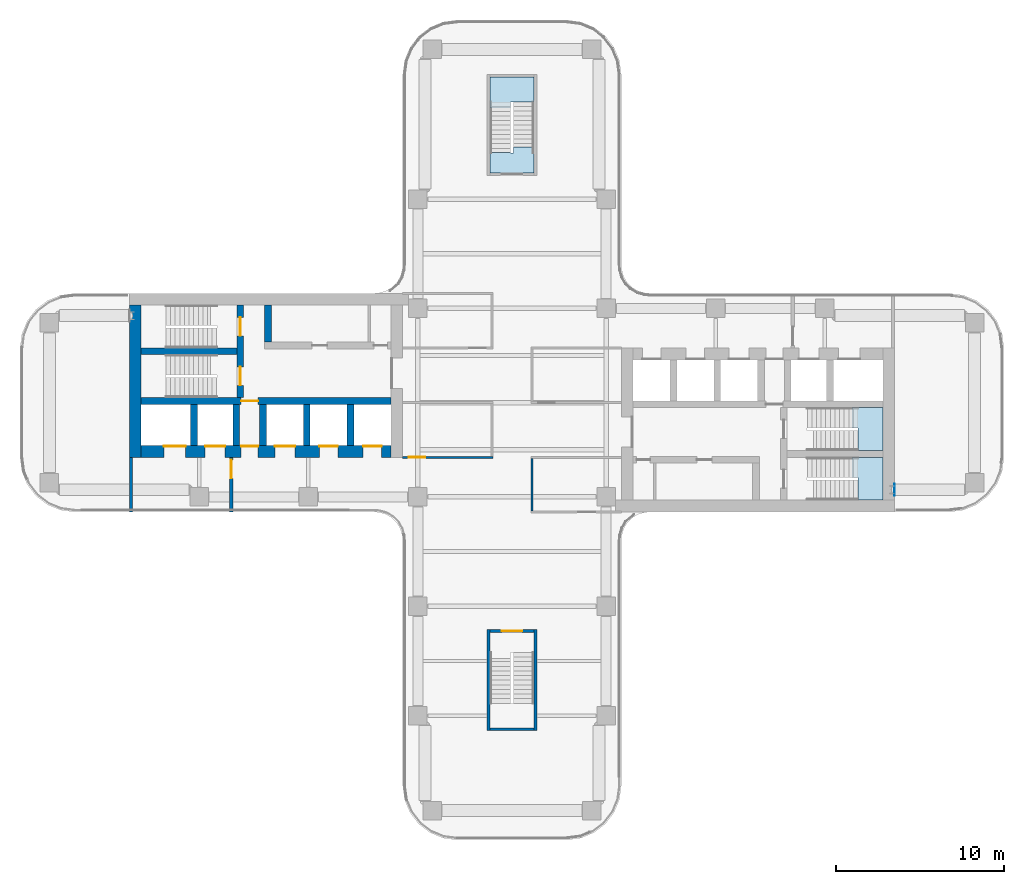
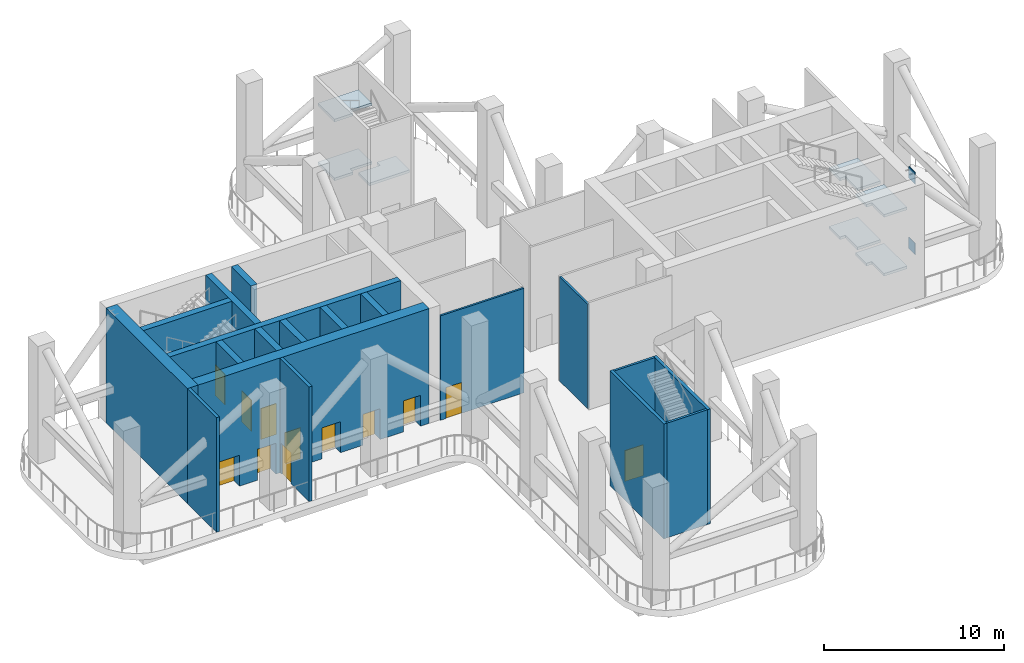
# One storey, part 4 of 11: 19 walls, 12 doors, 7 slabs, 2 plates, 12 openings, 3 elements without a shape of their own.
"""IFC4 building model written with IfcOpenShell, lengths in metres."""

from ifc_helpers import new_model, si_unit, direction, frame, frame_2d, origin, origin_2d, place, context, subcontext, project, spatial, polyline, rectangle, outline, extrude, source, transform, mapped, material, layer, layer_set, type_object, element, fill, aggregate, save


model = new_model("IFC4")

# Units and contexts
model_context = context("Model", 3, precision=1e-05, world=origin(), true_north=direction((0.0, 1.0)))
body_context = subcontext(model_context, "Body", "Model", "MODEL_VIEW")
ifc_project = project(units=[si_unit("LENGTHUNIT", "METRE"), si_unit("AREAUNIT", "SQUARE_METRE"), si_unit("VOLUMEUNIT", "CUBIC_METRE"), si_unit("PLANEANGLEUNIT", "RADIAN"), si_unit("MASSUNIT", "GRAM", prefix="KILO")], contexts=[model_context])

# Site, building, storey
site_placement = place(None, origin())
site = spatial("IfcSite", under=ifc_project, at=site_placement, CompositionType="ELEMENT")
building_placement = place(site_placement, origin())
building = spatial("IfcBuilding", under=site, at=building_placement, Name="Trellis Farm Tower", CompositionType="ELEMENT")
storey_placement = place(building_placement, frame((0.0, 0.0, 212.699951171875)))
storey = spatial("IfcBuildingStorey", under=building, at=storey_placement, Name="L47", CompositionType="ELEMENT", Elevation=212.699951171875)

# Plates
ifc_material_1 = material(Name="Steel S355", Category="steel")
ifc_layer_1 = layer(ifc_material_1, 0.030029296875)
ifc_layer_set_1 = layer_set([ifc_layer_1], Name="Cast-in plate 30")
plate_type = type_object("IfcPlateType", Name="Cast-in plate 30", PredefinedType="SHEET", material=ifc_layer_set_1)
plate_1_placement = place(storey_placement, frame((22.735107421875, -5.175048828125, 2.35009765625), z_axis=(0.0, 0.0, 1.0), x_axis=(1.0, 0.0, 0.0)))
element("IfcPlate", 1, at=plate_1_placement, inside=storey, type_object=plate_type, Name="Cast-in plate", PredefinedType="SHEET", context=body_context, shape_type="SweptSolid", body=[
    extrude(rectangle(XDim=0.030029296875, YDim=0.699951171875, at=origin_2d()), origin(), (0.0, 0.0, 1.0), 0.800048828125),
])
shared_shape_1 = source(origin(), body_context, "Body", "SweptSolid", [
    extrude(rectangle(XDim=0.030029296875, YDim=0.699951171875, at=origin_2d()), origin(), (0.0, 0.0, 1.0), 0.800048828125),
])
plate_2_placement = place(storey_placement, frame((22.735107421875, -5.175048828125, 7.14990234375), z_axis=(0.0, 0.0, 1.0), x_axis=(1.0, 0.0, 0.0)))
element("IfcPlate", 2, at=plate_2_placement, inside=storey, type_object=plate_type, Name="Cast-in plate", PredefinedType="SHEET", context=body_context, shape_type="MappedRepresentation", body=[
    mapped(shared_shape_1, transform((0.0, 0.0, 0.0))),
])

# Stair, slabs
ifc_material_2 = material(Name="Concrete C50/60", Category="concrete")
stair_type = type_object("IfcStairType", Name="CORE EXIT STAIR 48 RISERS 167 MM", PredefinedType="HALF_TURN_STAIR", material=ifc_material_2)
placement_1 = place(storey_placement, origin())
stair_1 = element("IfcStair", 3, at=placement_1, inside=storey, type_object=stair_type, Name="Exit stair N", PredefinedType="HALF_TURN_STAIR")
ifc_layer_2 = layer(ifc_material_2, 0.179931640625)
ifc_layer_set_2 = layer_set([ifc_layer_2], Name="CORE STAIR LANDING 180 CONCRETE C50/60")
slab_type = type_object("IfcSlabType", Name="CORE STAIR LANDING 180 CONCRETE C50/60", PredefinedType="LANDING", material=ifc_layer_set_2)
shared_shape_2 = source(origin(), body_context, "Body", "SweptSolid", [
    extrude(outline(polyline([(-0.10009765625, 17.512451171875), (-1.300048828125, 17.512451171875), (-1.300048828125, 17.875), (-1.300048828125, 19.35009765625), (1.300048828125, 19.35009765625), (1.300048828125, 17.875), (1.300048828125, 17.864990234375), (0.10009765625, 17.864990234375), (0.10009765625, 17.875), (-0.10009765625, 17.875), (-0.10009765625, 17.512451171875)])), origin(), (0.0, 0.0, 1.0), 0.179931640625),
])
placement_2 = place(storey_placement, frame((0.0, 0.0, 1.820068359375)))
slab_1 = element("IfcSlab", 4, at=placement_2, type_object=slab_type, Name="STN landing 1", PredefinedType="LANDING", context=body_context, shape_type="MappedRepresentation", body=[
    mapped(shared_shape_2, transform((0.0, 0.0, 0.0))),
])
placement_3 = place(storey_placement, frame((0.0, 0.0, 5.820068359375)))
slab_2 = element("IfcSlab", 5, at=placement_3, type_object=slab_type, Name="STN landing 3", PredefinedType="LANDING", context=body_context, shape_type="MappedRepresentation", body=[
    mapped(shared_shape_2, transform((0.0, 0.0, 0.0))),
])
shared_shape_3 = source(origin(), body_context, "Body", "SweptSolid", [
    extrude(outline(polyline([(1.300048828125, 13.64990234375), (-1.300048828125, 13.64990234375), (-1.300048828125, 14.85009765625), (-1.300048828125, 14.860107421875), (-0.10009765625, 14.860107421875), (-0.10009765625, 14.85009765625), (0.10009765625, 14.85009765625), (0.10009765625, 15.21240234375), (1.300048828125, 15.21240234375), (1.300048828125, 14.85009765625), (1.300048828125, 13.64990234375)])), origin(), (0.0, 0.0, 1.0), 0.179931640625),
])
slab_3_placement = place(storey_placement, frame((0.0, 0.0, 3.820068359375)))
slab_3 = element("IfcSlab", 6, at=slab_3_placement, type_object=slab_type, Name="STN landing 2", PredefinedType="LANDING", context=body_context, shape_type="MappedRepresentation", body=[
    mapped(shared_shape_3, transform((0.0, 0.0, 0.0))),
])
aggregate(stair_1, [slab_1, slab_3, slab_2])

stair_2 = element("IfcStair", 7, at=placement_1, inside=storey, type_object=stair_type, Name="Exit stair E1", PredefinedType="HALF_TURN_STAIR")
shared_shape_4 = source(origin(), body_context, "Body", "SweptSolid", [
    extrude(outline(polyline([(20.56494140625, -5.800048828125), (20.56494140625, -4.60009765625), (20.574951171875, -4.60009765625), (20.574951171875, -4.449951171875), (20.21240234375, -4.449951171875), (20.21240234375, -3.25), (20.574951171875, -3.25), (22.050048828125, -3.25), (22.050048828125, -5.800048828125), (20.574951171875, -5.800048828125), (20.56494140625, -5.800048828125)])), origin(), (0.0, 0.0, 1.0), 0.179931640625),
])
slab_4 = element("IfcSlab", 8, at=placement_2, type_object=slab_type, Name="STE1 landing 1", PredefinedType="LANDING", context=body_context, shape_type="MappedRepresentation", body=[
    mapped(shared_shape_4, transform((0.0, 0.0, 0.0))),
])
slab_5 = element("IfcSlab", 9, at=placement_3, type_object=slab_type, Name="STE1 landing 3", PredefinedType="LANDING", context=body_context, shape_type="MappedRepresentation", body=[
    mapped(shared_shape_4, transform((0.0, 0.0, 0.0))),
])
aggregate(stair_2, [slab_4, slab_5])

stair_3 = element("IfcStair", 10, at=placement_1, inside=storey, type_object=stair_type, Name="Exit stair E2", PredefinedType="HALF_TURN_STAIR")
shared_shape_5 = source(origin(), body_context, "Body", "SweptSolid", [
    extrude(outline(polyline([(20.56494140625, -2.85009765625), (20.56494140625, -1.64990234375), (20.574951171875, -1.64990234375), (20.574951171875, -1.5), (20.21240234375, -1.5), (20.21240234375, -0.300048828125), (20.574951171875, -0.300048828125), (22.050048828125, -0.300048828125), (22.050048828125, -2.85009765625), (20.574951171875, -2.85009765625), (20.56494140625, -2.85009765625)])), origin(), (0.0, 0.0, 1.0), 0.179931640625),
])
slab_6 = element("IfcSlab", 11, at=placement_2, type_object=slab_type, Name="STE2 landing 1", PredefinedType="LANDING", context=body_context, shape_type="MappedRepresentation", body=[
    mapped(shared_shape_5, transform((0.0, 0.0, 0.0))),
])
slab_7 = element("IfcSlab", 12, at=placement_3, type_object=slab_type, Name="STE2 landing 3", PredefinedType="LANDING", context=body_context, shape_type="MappedRepresentation", body=[
    mapped(shared_shape_5, transform((0.0, 0.0, 0.0))),
])
aggregate(stair_3, [slab_6, slab_7])

# Walls
ifc_material_3 = material(Name="Concrete C60/75", Category="concrete")
ifc_layer_3 = layer(ifc_material_3, 0.699951171875)
ifc_layer_set_3 = layer_set([ifc_layer_3], Name="CORE OUTER WALL 700 CONCRETE C60/75")
wall_type_1 = type_object("IfcWallType", Name="CORE OUTER WALL 700 CONCRETE C60/75", PredefinedType="SHEAR", material=ifc_layer_set_3)
shared_shape_6 = source(origin(), body_context, "Body", "SweptSolid", [
    extrude(rectangle(XDim=9.050048828125, YDim=0.699951171875, at=frame_2d((4.52490234375, 0.0))), origin(), (0.0, 0.0, 1.0), 7.800048828125),
])
wall_1_placement = place(storey_placement, frame((-22.39990234375, 5.800048828125, 0.0), z_axis=(0.0, 0.0, 1.0), x_axis=(0.0, -1.0, 0.0)))
element("IfcWall", 13, at=wall_1_placement, inside=storey, type_object=wall_type_1, Name="Core wall", PredefinedType="SHEAR", context=body_context, shape_type="MappedRepresentation", body=[
    mapped(shared_shape_6, transform((0.0, 0.0, 0.0))),
])
ifc_layer_4 = layer(ifc_material_3, 0.39990234375)
ifc_layer_set_4 = layer_set([ifc_layer_4], Name="CORE INNER WALL 400 CONCRETE C60/75")
wall_type_2 = type_object("IfcWallType", Name="CORE INNER WALL 400 CONCRETE C60/75", PredefinedType="SHEAR", material=ifc_layer_set_4)
shared_shape_7 = source(origin(), body_context, "Body", "SweptSolid", [
    extrude(rectangle(XDim=2.449951171875, YDim=0.39990234375, at=frame_2d((1.22509765625, 0.0))), origin(), (0.0, 0.0, 1.0), 7.800048828125),
])
for number, where, z_axis, x_axis, name in (
    (14, (-9.60009765625, -0.10009765625, 0.0), (0.0, 0.0, 1.0), (0.0, -1.0, 0.0), "Core wall"),
    (15, (-12.199951171875, -0.10009765625, 0.0), (0.0, 0.0, 1.0), (0.0, -1.0, 0.0), "Core wall"),
    (16, (-14.800048828125, -0.10009765625, 0.0), (0.0, 0.0, 1.0), (0.0, -1.0, 0.0), "Core wall"),
    (17, (-16.39990234375, -0.10009765625, 0.0), (0.0, 0.0, 1.0), (0.0, -1.0, 0.0), "Core wall"),
    (18, (-18.89990234375, -0.10009765625, 0.0), (0.0, 0.0, 1.0), (0.0, -1.0, 0.0), "Core wall"),
):
    element("IfcWall", number, at=place(storey_placement, frame(where, z_axis=z_axis, x_axis=x_axis)), inside=storey, type_object=wall_type_2, Name=name, PredefinedType="SHEAR", context=body_context, shape_type="MappedRepresentation", body=[
        mapped(shared_shape_7, transform((0.0, 0.0, 0.0))),
    ])

# Wall, opening, door
ifc_material_4 = material(Name="Masonry blockwork", Category="masonry")
ifc_layer_5 = layer(ifc_material_4, 0.199951171875)
ifc_layer_set_5 = layer_set([ifc_layer_5], Name="FIRE LOBBY PARTITION 200 BLOCKWORK")
wall_type_3 = type_object("IfcWallType", Name="FIRE LOBBY PARTITION 200 BLOCKWORK", PredefinedType="PARTITIONING", material=ifc_layer_set_5)
shared_shape_8 = source(origin(), body_context, "Body", "SweptSolid", [
    extrude(rectangle(XDim=3.25, YDim=0.199951171875, at=frame_2d((1.625, 0.0))), origin(), (0.0, 0.0, 1.0), 7.800048828125),
])
wall_2_placement = place(storey_placement, frame((-16.699951171875, -3.25, 0.0), z_axis=(0.0, 0.0, 1.0), x_axis=(0.0, -1.0, 0.0)))
wall_2 = element("IfcWall", 19, at=wall_2_placement, inside=storey, type_object=wall_type_3, Name="Fire-fighting lobby partition", PredefinedType="PARTITIONING", context=body_context, shape_type="MappedRepresentation", body=[
    mapped(shared_shape_8, transform((0.0, 0.0, 0.0))),
])
shared_shape_9 = source(origin(), body_context, "Body", "SweptSolid", [
    extrude(rectangle(XDim=1.10009765625, YDim=2.10009765625, at=frame_2d((0.550048828125, 1.050048828125))), frame((0.0, 0.110107421875, 0.0), z_axis=(0.0, -1.0, 0.0), x_axis=(1.0, 0.0, 0.0)), (0.0, 0.0, 1.0), 0.22021484375),
])
opening_1_placement = place(wall_2_placement, frame((0.14990234375, 0.0, 0.0)))
opening_1 = element("IfcOpeningElement", 20, at=opening_1_placement, cuts=wall_2, Name="Opening DC93", PredefinedType="OPENING", context=body_context, shape_type="MappedRepresentation", body=[
    mapped(shared_shape_9, transform((0.0, 0.0, 0.0))),
])
ifc_material_5 = material(Name="Steel", Category="steel")
door_type_1 = type_object("IfcDoorType", Name="CORE FIRE DOOR 1100 X 2100", OperationType="NOTDEFINED", PredefinedType="DOOR", material=ifc_material_5)
shared_shape_10 = source(origin(), body_context, "Body", "SweptSolid", [
    extrude(rectangle(XDim=1.10009765625, YDim=2.10009765625, at=frame_2d((0.550048828125, 1.050048828125))), frame((0.0, 0.02490234375, 0.0), z_axis=(0.0, -1.0, 0.0), x_axis=(1.0, 0.0, 0.0)), (0.0, 0.0, 1.0), 0.050048828125),
])
door_1_placement = place(opening_1_placement, origin())
door_1 = element("IfcDoor", 21, at=door_1_placement, inside=storey, type_object=door_type_1, Name="Core door", OperationType="SINGLE_SWING_RIGHT", OverallHeight=2.10009765625, OverallWidth=1.10009765625, PredefinedType="DOOR", context=body_context, shape_type="MappedRepresentation", body=[
    mapped(shared_shape_10, transform((0.0, 0.0, 0.0))),
])
fill(opening_1, door_1)

# Wall
wall_3_placement = place(storey_placement, frame((-22.64990234375, -3.25, 0.0), z_axis=(0.0, 0.0, 1.0), x_axis=(0.0, -1.0, 0.0)))
element("IfcWall", 22, at=wall_3_placement, inside=storey, type_object=wall_type_3, Name="Fire-fighting lobby partition", PredefinedType="PARTITIONING", context=body_context, shape_type="MappedRepresentation", body=[
    mapped(shared_shape_8, transform((0.0, 0.0, 0.0))),
])

# Wall, openings, doors
shared_shape_11 = source(origin(), body_context, "Body", "SweptSolid", [
    extrude(rectangle(XDim=14.85009765625, YDim=0.699951171875, at=frame_2d((7.425048828125, 0.0))), origin(), (0.0, 0.0, 1.0), 7.800048828125),
])
wall_4_placement = place(storey_placement, frame((-7.199951171875, -2.89990234375, 0.0), z_axis=(0.0, 0.0, 1.0), x_axis=(-1.0, 0.0, 0.0)))
wall_4 = element("IfcWall", 23, at=wall_4_placement, inside=storey, type_object=wall_type_1, Name="Core wall", PredefinedType="SHEAR", context=body_context, shape_type="MappedRepresentation", body=[
    mapped(shared_shape_11, transform((0.0, 0.0, 0.0))),
])
shared_shape_12 = source(origin(), body_context, "Body", "SweptSolid", [
    extrude(rectangle(XDim=1.10009765625, YDim=2.10009765625, at=frame_2d((0.550048828125, 1.050048828125))), frame((0.0, 0.360107421875, 0.0), z_axis=(0.0, -1.0, 0.0), x_axis=(1.0, 0.0, 0.0)), (0.0, 0.0, 1.0), 0.72021484375),
])
opening_2_placement = place(wall_4_placement, frame((0.550048828125, 0.0, 0.0)))
opening_2 = element("IfcOpeningElement", 24, at=opening_2_placement, cuts=wall_4, Name="Opening LD12", PredefinedType="OPENING", context=body_context, shape_type="MappedRepresentation", body=[
    mapped(shared_shape_12, transform((0.0, 0.0, 0.0))),
])
opening_3_placement = place(wall_4_placement, frame((3.14990234375, 0.0, 0.0)))
opening_3 = element("IfcOpeningElement", 25, at=opening_3_placement, cuts=wall_4, Name="Opening LD13", PredefinedType="OPENING", context=body_context, shape_type="MappedRepresentation", body=[
    mapped(shared_shape_12, transform((0.0, 0.0, 0.0))),
])
shared_shape_13 = source(origin(), body_context, "Body", "SweptSolid", [
    extrude(rectangle(XDim=1.199951171875, YDim=2.10009765625, at=frame_2d((0.60009765625, 1.050048828125))), frame((0.0, 0.360107421875, 0.0), z_axis=(0.0, -1.0, 0.0), x_axis=(1.0, 0.0, 0.0)), (0.0, 0.0, 1.0), 0.72021484375),
])
opening_4_placement = place(wall_4_placement, frame((5.699951171875, 0.0, 0.0)))
opening_4 = element("IfcOpeningElement", 26, at=opening_4_placement, cuts=wall_4, Name="Opening LD14", PredefinedType="OPENING", context=body_context, shape_type="MappedRepresentation", body=[
    mapped(shared_shape_13, transform((0.0, 0.0, 0.0))),
])
shared_shape_14 = source(origin(), body_context, "Body", "SweptSolid", [
    extrude(rectangle(XDim=1.300048828125, YDim=2.10009765625, at=frame_2d((0.64990234375, 1.050048828125))), frame((0.0, 0.360107421875, 0.0), z_axis=(0.0, -1.0, 0.0), x_axis=(1.0, 0.0, 0.0)), (0.0, 0.0, 1.0), 0.72021484375),
])
opening_5_placement = place(wall_4_placement, frame((12.199951171875, 0.0, 0.0)))
opening_5 = element("IfcOpeningElement", 27, at=opening_5_placement, cuts=wall_4, Name="Opening LD15", PredefinedType="OPENING", context=body_context, shape_type="MappedRepresentation", body=[
    mapped(shared_shape_14, transform((0.0, 0.0, 0.0))),
])
opening_6_placement = place(wall_4_placement, frame((9.85009765625, 0.0, 0.0)))
opening_6 = element("IfcOpeningElement", 28, at=opening_6_placement, cuts=wall_4, Name="Opening LD16", PredefinedType="OPENING", context=body_context, shape_type="MappedRepresentation", body=[
    mapped(shared_shape_13, transform((0.0, 0.0, 0.0))),
])
shared_shape_15 = source(origin(), body_context, "Body", "SweptSolid", [
    extrude(rectangle(XDim=1.0, YDim=2.10009765625, at=frame_2d((0.5, 1.050048828125))), frame((0.0, 0.360107421875, 0.0), z_axis=(0.0, -1.0, 0.0), x_axis=(1.0, 0.0, 0.0)), (0.0, 0.0, 1.0), 0.72021484375),
])
opening_7_placement = place(wall_4_placement, frame((7.89990234375, 0.0, 0.0)))
opening_7 = element("IfcOpeningElement", 29, at=opening_7_placement, cuts=wall_4, Name="Opening DC92", PredefinedType="OPENING", context=body_context, shape_type="MappedRepresentation", body=[
    mapped(shared_shape_15, transform((0.0, 0.0, 0.0))),
])
door_type_2 = type_object("IfcDoorType", Name="CORE FIRE DOOR 1000 X 2100", OperationType="NOTDEFINED", PredefinedType="DOOR", material=ifc_material_5)
shared_shape_16 = source(origin(), body_context, "Body", "SweptSolid", [
    extrude(rectangle(XDim=1.0, YDim=2.10009765625, at=frame_2d((0.5, 1.050048828125))), frame((0.0, -0.27490234375, 0.0), z_axis=(0.0, -1.0, 0.0), x_axis=(1.0, 0.0, 0.0)), (0.0, 0.0, 1.0), 0.050048828125),
])
door_2_placement = place(opening_7_placement, origin())
door_2 = element("IfcDoor", 30, at=door_2_placement, inside=storey, type_object=door_type_2, Name="Core door", OperationType="SINGLE_SWING_LEFT", OverallHeight=2.10009765625, OverallWidth=1.0, PredefinedType="DOOR", context=body_context, shape_type="MappedRepresentation", body=[
    mapped(shared_shape_16, transform((0.0, 0.0, 0.0))),
])
fill(opening_7, door_2)
ifc_material_6 = material(Name="Stainless steel", Category="steel")
door_type_3 = type_object("IfcDoorType", Name="LIFT LANDING DOOR 1300 X 2100", OperationType="DOUBLE_DOOR_SLIDING", PredefinedType="DOOR", material=ifc_material_6)
shared_shape_17 = source(origin(), body_context, "Body", "SweptSolid", [
    extrude(rectangle(XDim=1.300048828125, YDim=2.10009765625, at=frame_2d((0.64990234375, 1.050048828125))), frame((0.0, -0.27490234375, 0.0), z_axis=(0.0, -1.0, 0.0), x_axis=(1.0, 0.0, 0.0)), (0.0, 0.0, 1.0), 0.050048828125),
])
door_3_placement = place(opening_5_placement, origin())
door_3 = element("IfcDoor", 31, at=door_3_placement, inside=storey, type_object=door_type_3, Name="Lift landing door", OperationType="DOUBLE_DOOR_SLIDING", OverallHeight=2.10009765625, OverallWidth=1.300048828125, PredefinedType="DOOR", context=body_context, shape_type="MappedRepresentation", body=[
    mapped(shared_shape_17, transform((0.0, 0.0, 0.0))),
])
fill(opening_5, door_3)
door_type_4 = type_object("IfcDoorType", Name="LIFT LANDING DOOR 1200 X 2100", OperationType="DOUBLE_DOOR_SLIDING", PredefinedType="DOOR", material=ifc_material_6)
shared_shape_18 = source(origin(), body_context, "Body", "SweptSolid", [
    extrude(rectangle(XDim=1.199951171875, YDim=2.10009765625, at=frame_2d((0.60009765625, 1.050048828125))), frame((0.0, -0.27490234375, 0.0), z_axis=(0.0, -1.0, 0.0), x_axis=(1.0, 0.0, 0.0)), (0.0, 0.0, 1.0), 0.050048828125),
])
door_4_placement = place(opening_4_placement, origin())
door_4 = element("IfcDoor", 32, at=door_4_placement, inside=storey, type_object=door_type_4, Name="Lift landing door", OperationType="DOUBLE_DOOR_SLIDING", OverallHeight=2.10009765625, OverallWidth=1.199951171875, PredefinedType="DOOR", context=body_context, shape_type="MappedRepresentation", body=[
    mapped(shared_shape_18, transform((0.0, 0.0, 0.0))),
])
fill(opening_4, door_4)
door_5_placement = place(opening_6_placement, origin())
door_5 = element("IfcDoor", 33, at=door_5_placement, inside=storey, type_object=door_type_4, Name="Lift landing door", OperationType="DOUBLE_DOOR_SLIDING", OverallHeight=2.10009765625, OverallWidth=1.199951171875, PredefinedType="DOOR", context=body_context, shape_type="MappedRepresentation", body=[
    mapped(shared_shape_18, transform((0.0, 0.0, 0.0))),
])
fill(opening_6, door_5)
door_type_5 = type_object("IfcDoorType", Name="LIFT LANDING DOOR 1100 X 2100", OperationType="DOUBLE_DOOR_SLIDING", PredefinedType="DOOR", material=ifc_material_6)
shared_shape_19 = source(origin(), body_context, "Body", "SweptSolid", [
    extrude(rectangle(XDim=1.10009765625, YDim=2.10009765625, at=frame_2d((0.550048828125, 1.050048828125))), frame((0.0, -0.27490234375, 0.0), z_axis=(0.0, -1.0, 0.0), x_axis=(1.0, 0.0, 0.0)), (0.0, 0.0, 1.0), 0.050048828125),
])
door_6_placement = place(opening_2_placement, origin())
door_6 = element("IfcDoor", 34, at=door_6_placement, inside=storey, type_object=door_type_5, Name="Lift landing door", OperationType="DOUBLE_DOOR_SLIDING", OverallHeight=2.10009765625, OverallWidth=1.10009765625, PredefinedType="DOOR", context=body_context, shape_type="MappedRepresentation", body=[
    mapped(shared_shape_19, transform((0.0, 0.0, 0.0))),
])
fill(opening_2, door_6)
door_7_placement = place(opening_3_placement, origin())
door_7 = element("IfcDoor", 35, at=door_7_placement, inside=storey, type_object=door_type_5, Name="Lift landing door", OperationType="DOUBLE_DOOR_SLIDING", OverallHeight=2.10009765625, OverallWidth=1.10009765625, PredefinedType="DOOR", context=body_context, shape_type="MappedRepresentation", body=[
    mapped(shared_shape_19, transform((0.0, 0.0, 0.0))),
])
fill(opening_3, door_7)

# Wall, opening, door
shared_shape_20 = source(origin(), body_context, "Body", "SweptSolid", [
    extrude(rectangle(XDim=14.85009765625, YDim=0.39990234375, at=frame_2d((7.425048828125, 0.0))), origin(), (0.0, 0.0, 1.0), 7.800048828125),
])
wall_5_placement = place(storey_placement, frame((-7.199951171875, 0.10009765625, 0.0), z_axis=(0.0, 0.0, 1.0), x_axis=(-1.0, 0.0, 0.0)))
wall_5 = element("IfcWall", 36, at=wall_5_placement, inside=storey, type_object=wall_type_2, Name="Core wall", PredefinedType="SHEAR", context=body_context, shape_type="MappedRepresentation", body=[
    mapped(shared_shape_20, transform((0.0, 0.0, 0.0))),
])
shared_shape_21 = source(origin(), body_context, "Body", "SweptSolid", [
    extrude(rectangle(XDim=1.0, YDim=2.10009765625, at=frame_2d((0.5, 1.050048828125))), frame((0.0, 0.2099609375, 0.0), z_axis=(0.0, -1.0, 0.0), x_axis=(1.0, 0.0, 0.0)), (0.0, 0.0, 1.0), 0.419921875),
])
opening_8_placement = place(wall_5_placement, frame((7.89990234375, 0.0, 0.0)))
opening_8 = element("IfcOpeningElement", 37, at=opening_8_placement, cuts=wall_5, Name="Opening DC91", PredefinedType="OPENING", context=body_context, shape_type="MappedRepresentation", body=[
    mapped(shared_shape_21, transform((0.0, 0.0, 0.0))),
])
shared_shape_22 = source(origin(), body_context, "Body", "SweptSolid", [
    extrude(rectangle(XDim=1.0, YDim=2.10009765625, at=frame_2d((0.5, 1.050048828125))), frame((0.0, 0.02490234375, 0.0), z_axis=(0.0, -1.0, 0.0), x_axis=(1.0, 0.0, 0.0)), (0.0, 0.0, 1.0), 0.050048828125),
])
door_8_placement = place(opening_8_placement, origin())
door_8 = element("IfcDoor", 38, at=door_8_placement, inside=storey, type_object=door_type_2, Name="Core door", OperationType="SINGLE_SWING_RIGHT", OverallHeight=2.10009765625, OverallWidth=1.0, PredefinedType="DOOR", context=body_context, shape_type="MappedRepresentation", body=[
    mapped(shared_shape_22, transform((0.0, 0.0, 0.0))),
])
fill(opening_8, door_8)

# Wall, openings, doors
shared_shape_23 = source(origin(), body_context, "Body", "SweptSolid", [
    extrude(rectangle(XDim=5.5, YDim=0.39990234375, at=frame_2d((2.75, 0.0))), origin(), (0.0, 0.0, 1.0), 7.800048828125),
])
wall_6_placement = place(storey_placement, frame((-16.14990234375, 5.800048828125, 0.0), z_axis=(0.0, 0.0, 1.0), x_axis=(0.0, -1.0, 0.0)))
wall_6 = element("IfcWall", 39, at=wall_6_placement, inside=storey, type_object=wall_type_2, Name="Core wall", PredefinedType="SHEAR", context=body_context, shape_type="MappedRepresentation", body=[
    mapped(shared_shape_23, transform((0.0, 0.0, 0.0))),
])
shared_shape_24 = source(origin(), body_context, "Body", "SweptSolid", [
    extrude(rectangle(XDim=1.10009765625, YDim=2.10009765625, at=frame_2d((0.550048828125, 1.050048828125))), frame((0.0, 0.2099609375, 0.0), z_axis=(0.0, -1.0, 0.0), x_axis=(1.0, 0.0, 0.0)), (0.0, 0.0, 1.0), 0.419921875),
])
opening_9_placement = place(wall_6_placement, frame((0.72509765625, 0.0, 0.0)))
opening_9 = element("IfcOpeningElement", 40, at=opening_9_placement, cuts=wall_6, Name="Opening DC88", PredefinedType="OPENING", context=body_context, shape_type="MappedRepresentation", body=[
    mapped(shared_shape_24, transform((0.0, 0.0, 0.0))),
])
opening_10_placement = place(wall_6_placement, frame((3.675048828125, 0.0, 0.0)))
opening_10 = element("IfcOpeningElement", 41, at=opening_10_placement, cuts=wall_6, Name="Opening DC89", PredefinedType="OPENING", context=body_context, shape_type="MappedRepresentation", body=[
    mapped(shared_shape_24, transform((0.0, 0.0, 0.0))),
])
door_9_placement = place(opening_9_placement, origin())
door_9 = element("IfcDoor", 42, at=door_9_placement, inside=storey, type_object=door_type_1, Name="Core door", OperationType="SINGLE_SWING_RIGHT", OverallHeight=2.10009765625, OverallWidth=1.10009765625, PredefinedType="DOOR", context=body_context, shape_type="MappedRepresentation", body=[
    mapped(shared_shape_10, transform((0.0, 0.0, 0.0))),
])
fill(opening_9, door_9)
door_10_placement = place(opening_10_placement, origin())
door_10 = element("IfcDoor", 43, at=door_10_placement, inside=storey, type_object=door_type_1, Name="Core door", OperationType="SINGLE_SWING_LEFT", OverallHeight=2.10009765625, OverallWidth=1.10009765625, PredefinedType="DOOR", context=body_context, shape_type="MappedRepresentation", body=[
    mapped(shared_shape_10, transform((0.0, 0.0, 0.0))),
])
fill(opening_10, door_10)

# Walls
shared_shape_25 = source(origin(), body_context, "Body", "SweptSolid", [
    extrude(rectangle(XDim=5.699951171875, YDim=0.39990234375, at=frame_2d((2.85009765625, 0.0))), origin(), (0.0, 0.0, 1.0), 7.800048828125),
])
wall_7_placement = place(storey_placement, frame((-16.35009765625, 3.050048828125, 0.0), z_axis=(0.0, 0.0, 1.0), x_axis=(-1.0, 0.0, 0.0)))
element("IfcWall", 44, at=wall_7_placement, inside=storey, type_object=wall_type_2, Name="Core wall", PredefinedType="SHEAR", context=body_context, shape_type="MappedRepresentation", body=[
    mapped(shared_shape_25, transform((0.0, 0.0, 0.0))),
])
shared_shape_26 = source(origin(), body_context, "Body", "SweptSolid", [
    extrude(rectangle(XDim=2.199951171875, YDim=0.39990234375, at=frame_2d((1.10009765625, 0.0))), origin(), (0.0, 0.0, 1.0), 7.800048828125),
])
wall_8_placement = place(storey_placement, frame((-14.5, 5.800048828125, 0.0), z_axis=(0.0, 0.0, 1.0), x_axis=(0.0, -1.0, 0.0)))
element("IfcWall", 45, at=wall_8_placement, inside=storey, type_object=wall_type_2, Name="Core wall", PredefinedType="SHEAR", context=body_context, shape_type="MappedRepresentation", body=[
    mapped(shared_shape_26, transform((0.0, 0.0, 0.0))),
])
ifc_layer_6 = layer(ifc_material_3, 0.199951171875)
ifc_layer_set_6 = layer_set([ifc_layer_6], Name="CORE STAIR ENCLOSURE WALL 200 CONCRETE C60/75")
wall_type_4 = type_object("IfcWallType", Name="CORE STAIR ENCLOSURE WALL 200 CONCRETE C60/75", PredefinedType="SHEAR", material=ifc_layer_set_6)
shared_shape_27 = source(origin(), body_context, "Body", "SweptSolid", [
    extrude(rectangle(XDim=6.0, YDim=0.199951171875, at=frame_2d((3.0, 0.0))), origin(), (0.0, 0.0, 1.0), 7.800048828125),
])
for number, where, z_axis, x_axis, name in (
    (46, (1.39990234375, -13.5, 0.0), (0.0, 0.0, 1.0), (0.0, -1.0, 0.0), "Stair enclosure wall"),
    (47, (-1.39990234375, -13.5, 0.0), (0.0, 0.0, 1.0), (0.0, -1.0, 0.0), "Stair enclosure wall"),
):
    element("IfcWall", number, at=place(storey_placement, frame(where, z_axis=z_axis, x_axis=x_axis)), inside=storey, type_object=wall_type_4, Name=name, PredefinedType="SHEAR", context=body_context, shape_type="MappedRepresentation", body=[
        mapped(shared_shape_27, transform((0.0, 0.0, 0.0))),
    ])

# Wall, opening, door
ifc_layer_7 = layer(ifc_material_3, 0.14990234375)
ifc_layer_set_7 = layer_set([ifc_layer_7], Name="CORE STAIR ENCLOSURE WALL 150 CONCRETE C60/75")
wall_type_5 = type_object("IfcWallType", Name="CORE STAIR ENCLOSURE WALL 150 CONCRETE C60/75", PredefinedType="SHEAR", material=ifc_layer_set_7)
shared_shape_28 = source(origin(), body_context, "Body", "SweptSolid", [
    extrude(rectangle(XDim=2.60009765625, YDim=0.14990234375, at=frame_2d((1.300048828125, 0.0))), origin(), (0.0, 0.0, 1.0), 7.800048828125),
])
wall_9_placement = place(storey_placement, frame((1.300048828125, -13.574951171875, 0.0), z_axis=(0.0, 0.0, 1.0), x_axis=(-1.0, 0.0, 0.0)))
wall_9 = element("IfcWall", 48, at=wall_9_placement, inside=storey, type_object=wall_type_5, Name="Stair enclosure wall", PredefinedType="SHEAR", context=body_context, shape_type="MappedRepresentation", body=[
    mapped(shared_shape_28, transform((0.0, 0.0, 0.0))),
])
shared_shape_29 = source(origin(), body_context, "Body", "SweptSolid", [
    extrude(rectangle(XDim=1.199951171875, YDim=2.10009765625, at=frame_2d((0.60009765625, 1.050048828125))), frame((0.0, 0.0849609375, 0.0), z_axis=(0.0, -1.0, 0.0), x_axis=(1.0, 0.0, 0.0)), (0.0, 0.0, 1.0), 0.169921875),
])
opening_11_placement = place(wall_9_placement, frame((0.699951171875, 0.0, 0.0)))
opening_11 = element("IfcOpeningElement", 49, at=opening_11_placement, cuts=wall_9, Name="Opening DC174", PredefinedType="OPENING", context=body_context, shape_type="MappedRepresentation", body=[
    mapped(shared_shape_29, transform((0.0, 0.0, 0.0))),
])
door_type_6 = type_object("IfcDoorType", Name="CORE FIRE DOOR 1200 X 2100", OperationType="NOTDEFINED", PredefinedType="DOOR", material=ifc_material_5)
shared_shape_30 = source(origin(), body_context, "Body", "SweptSolid", [
    extrude(rectangle(XDim=1.199951171875, YDim=2.10009765625, at=frame_2d((0.60009765625, 1.050048828125))), frame((0.0, 0.02490234375, 0.0), z_axis=(0.0, -1.0, 0.0), x_axis=(1.0, 0.0, 0.0)), (0.0, 0.0, 1.0), 0.050048828125),
])
door_11_placement = place(opening_11_placement, origin())
door_11 = element("IfcDoor", 50, at=door_11_placement, inside=storey, type_object=door_type_6, Name="Core door", OperationType="SINGLE_SWING_RIGHT", OverallHeight=2.10009765625, OverallWidth=1.199951171875, PredefinedType="DOOR", context=body_context, shape_type="MappedRepresentation", body=[
    mapped(shared_shape_30, transform((0.0, 0.0, 0.0))),
])
fill(opening_11, door_11)

# Walls
wall_10_placement = place(storey_placement, frame((1.300048828125, -19.425048828125, 0.0), z_axis=(0.0, 0.0, 1.0), x_axis=(-1.0, 0.0, 0.0)))
element("IfcWall", 51, at=wall_10_placement, inside=storey, type_object=wall_type_5, Name="Stair enclosure wall", PredefinedType="SHEAR", context=body_context, shape_type="MappedRepresentation", body=[
    mapped(shared_shape_28, transform((0.0, 0.0, 0.0))),
])
ifc_material_7 = material(Name="Plasterboard on steel studs, mineral wool", Category="steel")
ifc_layer_8 = layer(ifc_material_7, 0.125)
ifc_layer_set_8 = layer_set([ifc_layer_8], Name="PARTITION 125 STUD EI 60")
wall_type_6 = type_object("IfcWallType", Name="PARTITION 125 STUD EI 60", PredefinedType="PARTITIONING", material=ifc_layer_set_8)
shared_shape_31 = source(origin(), body_context, "Body", "SweptSolid", [
    extrude(rectangle(XDim=3.125, YDim=0.125, at=frame_2d((1.5625, 0.0))), origin(), (0.0, 0.0, 1.0), 7.096435546875),
])
wall_11_placement = place(storey_placement, frame((1.199951171875, -6.4375, 0.0), z_axis=(0.0, 0.0, 1.0), x_axis=(0.0, 1.0, 0.0)))
element("IfcWall", 52, at=wall_11_placement, inside=storey, type_object=wall_type_6, Name="Partition PW1", PredefinedType="PARTITIONING", context=body_context, shape_type="MappedRepresentation", body=[
    mapped(shared_shape_31, transform((0.0, 0.0, 0.0))),
])

# Wall, opening, door
shared_shape_32 = source(origin(), body_context, "Body", "SweptSolid", [
    extrude(rectangle(XDim=5.362548828125, YDim=0.125, at=frame_2d((2.68115234375, 0.0))), origin(), (0.0, 0.0, 1.0), 7.096435546875),
])
wall_12_placement = place(storey_placement, frame((-1.137451171875, -3.25, 0.0), z_axis=(0.0, 0.0, 1.0), x_axis=(-1.0, 0.0, 0.0)))
wall_12 = element("IfcWall", 53, at=wall_12_placement, inside=storey, type_object=wall_type_6, Name="Partition PW1", PredefinedType="PARTITIONING", context=body_context, shape_type="MappedRepresentation", body=[
    mapped(shared_shape_32, transform((0.0, 0.0, 0.0))),
])
shared_shape_33 = source(origin(), body_context, "Body", "SweptSolid", [
    extrude(rectangle(XDim=1.0, YDim=2.10009765625, at=frame_2d((0.5, 1.050048828125))), frame((0.0, 0.072509765625, 0.0), z_axis=(0.0, -1.0, 0.0), x_axis=(1.0, 0.0, 0.0)), (0.0, 0.0, 1.0), 0.14501953125),
])
opening_12_placement = place(wall_12_placement, frame((4.012451171875, 0.0, 0.0)))
opening_12 = element("IfcOpeningElement", 54, at=opening_12_placement, cuts=wall_12, Name="Opening D302", PredefinedType="OPENING", context=body_context, shape_type="MappedRepresentation", body=[
    mapped(shared_shape_33, transform((0.0, 0.0, 0.0))),
])
ifc_material_8 = material(Name="Fire-rated timber door leaf in a hollow metal frame", Category="wood")
door_type_7 = type_object("IfcDoorType", Name="DOOR 1000x2100 FD60", OperationType="NOTDEFINED", PredefinedType="DOOR", material=ifc_material_8)
door_12_placement = place(opening_12_placement, origin())
door_12 = element("IfcDoor", 55, at=door_12_placement, inside=storey, type_object=door_type_7, Name="Door D302", OperationType="SINGLE_SWING_RIGHT", OverallHeight=2.10009765625, OverallWidth=1.0, PredefinedType="DOOR", context=body_context, shape_type="MappedRepresentation", body=[
    mapped(shared_shape_22, transform((0.0, 0.0, 0.0))),
])
fill(opening_12, door_12)

save(model, "model.ifc")
